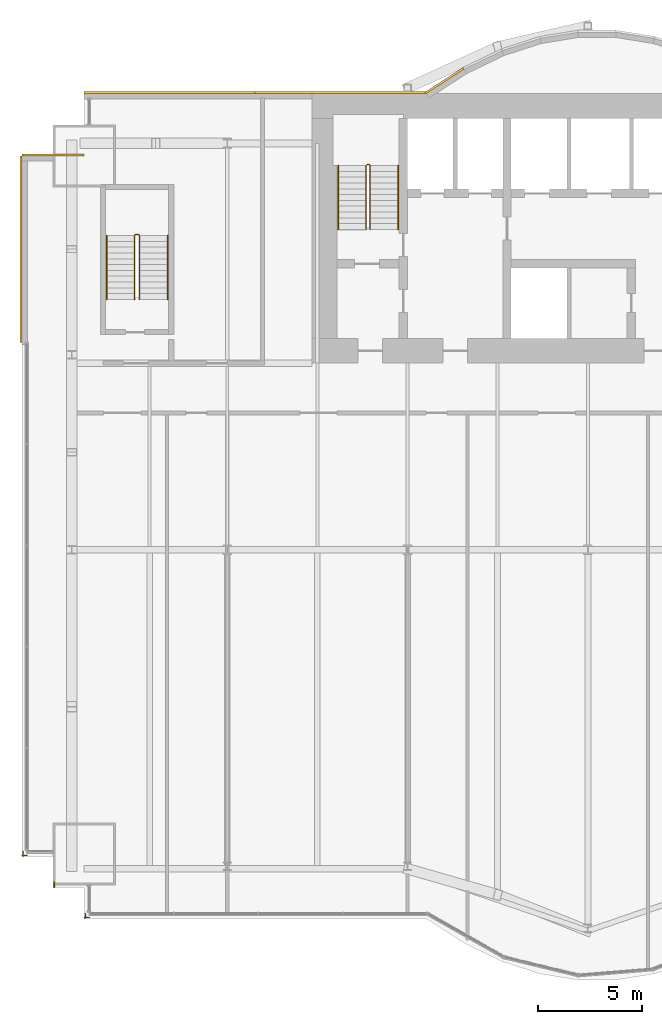
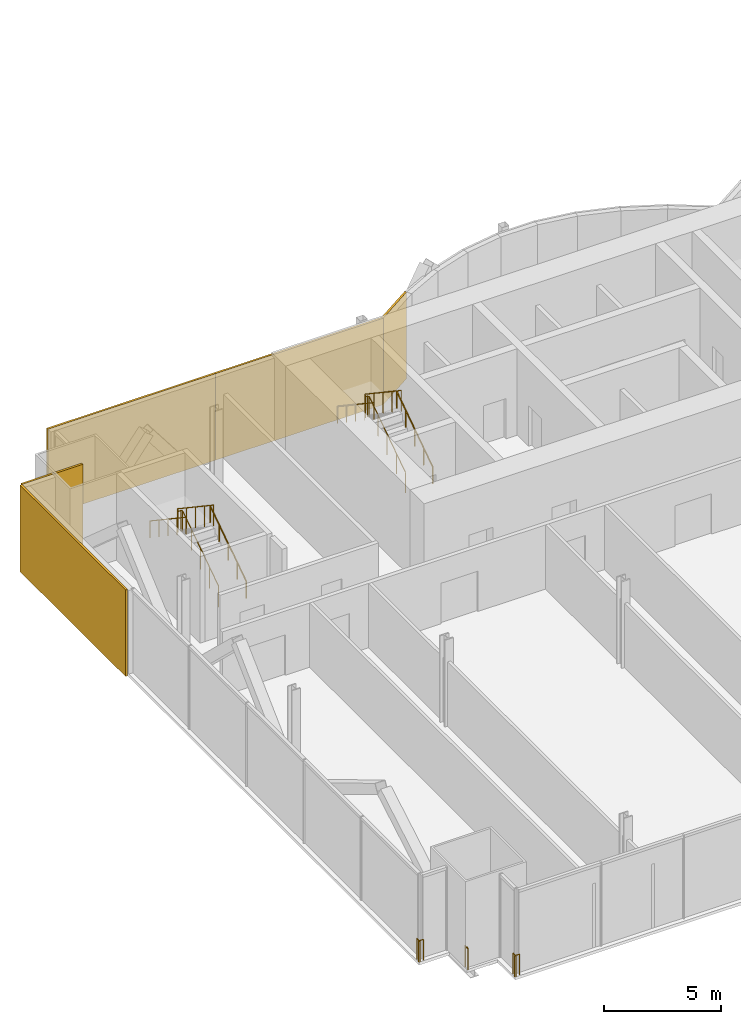
# One storey, part 19 of 21: 9 railings, 5 coverings.
"""IFC4 building model written with IfcOpenShell, lengths in metres."""

from ifc_helpers import new_model, si_unit, direction, frame, origin, origin_2d, place, context, subcontext, project, spatial, rectangle, circle, extrude, material, layer, layer_set, type_object, element, save


model = new_model("IFC4")

# Units and contexts
model_context = context("Model", 3, precision=1e-05, world=origin(), true_north=direction((0.0, 1.0)))
body_context = subcontext(model_context, "Body", "Model", "MODEL_VIEW")
ifc_project = project(units=[si_unit("LENGTHUNIT", "METRE"), si_unit("AREAUNIT", "SQUARE_METRE"), si_unit("VOLUMEUNIT", "CUBIC_METRE"), si_unit("PLANEANGLEUNIT", "RADIAN"), si_unit("MASSUNIT", "GRAM", prefix="KILO")], contexts=[model_context])

# Site, building, storey
site_placement = place(None, origin())
site = spatial("IfcSite", under=ifc_project, at=site_placement, CompositionType="ELEMENT")
building_placement = place(site_placement, origin())
building = spatial("IfcBuilding", under=site, at=building_placement, Name="Bicima Exchange Tower", CompositionType="ELEMENT")
storey_placement = place(building_placement, frame((0.0, 0.0, 75.5)))
storey = spatial("IfcBuildingStorey", under=building, at=storey_placement, Name="L15", CompositionType="ELEMENT", Elevation=75.5)

# Coverings
ifc_material_1 = material(Name="Bronze metal cladding")
ifc_layer_1 = layer(ifc_material_1, 0.004)
ifc_material_2 = material(Name="Ventilated cavity")
ifc_layer_2 = layer(ifc_material_2, 0.06)
ifc_material_3 = material(Name="Galvanised steel rail and mineral wool", Category="steel")
ifc_layer_3 = layer(ifc_material_3, 0.036)
ifc_layer_set = layer_set([ifc_layer_1, ifc_layer_2, ifc_layer_3], Name="Ventilated cavity")
covering_type = type_object("IfcCoveringType", Name="Bronze metal cladding panel 100", PredefinedType="CLADDING", material=ifc_layer_set)
covering_1_placement = place(storey_placement, frame((-15.610595703125, 0.634521484375, -0.14990234375), z_axis=(0.0, 0.0, 1.0), x_axis=(-0.839790466384, -0.542910648791, 0.0)))
element("IfcCovering", 1, at=covering_1_placement, inside=storey, type_object=covering_type, Name="Bronze cladding L15 19.1", PredefinedType="CLADDING", context=body_context, shape_type="SweptSolid", body=[
    extrude(rectangle(XDim=2.18310546875, YDim=0.10009765625, at=origin_2d()), origin(), (0.0, 0.0, 1.0), 4.5),
])
for number, where, z_axis, x_axis, name in (
    (2, (-20.625, 0.050048828125, -0.14990234375), (0.0, 0.0, 1.0), (-1.0, 0.0, 0.0), "Bronze cladding L15 20.1"),
    (3, (-28.875, 0.050048828125, -0.14990234375), (0.0, 0.0, 1.0), (-1.0, 0.0, 0.0), "Bronze cladding L15 20.2"),
):
    element("IfcCovering", number, at=place(storey_placement, frame(where, z_axis=z_axis, x_axis=x_axis)), inside=storey, type_object=covering_type, Name=name, PredefinedType="CLADDING", context=body_context, shape_type="SweptSolid", body=[
        extrude(rectangle(XDim=8.25, YDim=0.10009765625, at=origin_2d()), origin(), (0.0, 0.0, 1.0), 4.5),
    ])
covering_2_placement = place(storey_placement, frame((-34.5, -2.949951171875, -0.14990234375), z_axis=(0.0, 0.0, 1.0), x_axis=(-1.0, 0.0, 0.0)))
element("IfcCovering", 4, at=covering_2_placement, inside=storey, type_object=covering_type, Name="Bronze cladding L15 22.1", PredefinedType="CLADDING", context=body_context, shape_type="SweptSolid", body=[
    extrude(rectangle(XDim=3.0, YDim=0.10009765625, at=origin_2d()), origin(), (0.0, 0.0, 1.0), 4.5),
])
covering_3_placement = place(storey_placement, frame((-36.050048828125, -7.5, -0.14990234375), z_axis=(0.0, 0.0, 1.0), x_axis=(0.0, -1.0, 0.0)))
element("IfcCovering", 5, at=covering_3_placement, inside=storey, type_object=covering_type, Name="Bronze cladding L15 23.1", PredefinedType="CLADDING", context=body_context, shape_type="SweptSolid", body=[
    extrude(rectangle(XDim=9.0, YDim=0.10009765625, at=origin_2d()), origin(), (0.0, 0.0, 1.0), 4.5),
])

# Railings
ifc_material_4 = material(Name="Stainless steel and bonded safety glass", Category="steel")
railing_type_1 = type_object("IfcRailingType", Name="Edge guard 1100", PredefinedType="GUARDRAIL", material=ifc_material_4)
railing_1_placement = place(storey_placement, frame((-35.75, -36.75390625, 0.0)))
element("IfcRailing", 6, at=railing_1_placement, inside=storey, type_object=railing_type_1, Name="Edge guard L15 69", PredefinedType="GUARDRAIL", context=body_context, shape_type="SweptSolid", body=[
    extrude(circle(Radius=0.02392578125, at=origin_2d()), frame((0.0, 0.0, 1.076171875), z_axis=(-1.0, 0.0, 0.0), x_axis=(0.0, -1.0, 0.0)), (0.0, 0.0, 1.0), 0.25),
    extrude(circle(Radius=0.02392578125, at=origin_2d()), frame((-0.25, 0.0, 1.076171875), z_axis=(0.707106781187, -0.707106781187, 0.0), x_axis=(0.707106781187, 0.707106781187, 0.0)), (0.0, 0.0, 1.0), 0.07080078125),
    extrude(circle(Radius=0.02392578125, at=origin_2d()), frame((-0.199951171875, -0.050048828125, 1.076171875), z_axis=(0.0, 1.0, 0.0), x_axis=(-1.0, 0.0, 0.0)), (0.0, 0.0, 1.0), 0.2490234375),
    extrude(circle(Radius=0.02099609375, at=origin_2d()), origin(), (0.0, 0.0, 1.0), 1.052001953125),
    extrude(circle(Radius=0.02099609375, at=origin_2d()), frame((-0.25, 0.0, 0.0)), (0.0, 0.0, 1.0), 1.052001953125),
    extrude(circle(Radius=0.02099609375, at=origin_2d()), frame((-0.199951171875, -0.050048828125, 0.0)), (0.0, 0.0, 1.0), 1.052001953125),
    extrude(circle(Radius=0.02099609375, at=origin_2d()), frame((-0.199951171875, 0.198974609375, 0.0)), (0.0, 0.0, 1.0), 1.052001953125),
])
railing_2_placement = place(storey_placement, frame((-32.75, -39.75390625, 0.0)))
element("IfcRailing", 7, at=railing_2_placement, inside=storey, type_object=railing_type_1, Name="Edge guard L15 73", PredefinedType="GUARDRAIL", context=body_context, shape_type="SweptSolid", body=[
    extrude(circle(Radius=0.02392578125, at=origin_2d()), frame((0.0, 0.0, 1.076171875), z_axis=(-1.0, 0.0, 0.0), x_axis=(0.0, -1.0, 0.0)), (0.0, 0.0, 1.0), 0.25),
    extrude(circle(Radius=0.02392578125, at=origin_2d()), frame((-0.25, 0.0, 1.076171875), z_axis=(0.707106781187, -0.707106781187, 0.0), x_axis=(0.707106781187, 0.707106781187, 0.0)), (0.0, 0.0, 1.0), 0.07080078125),
    extrude(circle(Radius=0.02392578125, at=origin_2d()), frame((-0.199951171875, -0.050048828125, 1.076171875), z_axis=(0.0, 1.0, 0.0), x_axis=(-1.0, 0.0, 0.0)), (0.0, 0.0, 1.0), 0.25),
    extrude(circle(Radius=0.02099609375, at=origin_2d()), origin(), (0.0, 0.0, 1.0), 1.052001953125),
    extrude(circle(Radius=0.02099609375, at=origin_2d()), frame((-0.25, 0.0, 0.0)), (0.0, 0.0, 1.0), 1.052001953125),
    extrude(circle(Radius=0.02099609375, at=origin_2d()), frame((-0.199951171875, -0.050048828125, 0.0)), (0.0, 0.0, 1.0), 1.052001953125),
    extrude(circle(Radius=0.02099609375, at=origin_2d()), frame((-0.199951171875, 0.199951171875, 0.0)), (0.0, 0.0, 1.0), 1.052001953125),
])
railing_3_placement = place(storey_placement, frame((-34.449951171875, -38.303955078125, 0.0)))
element("IfcRailing", 8, at=railing_3_placement, inside=storey, type_object=railing_type_1, Name="Edge guard L15 74", PredefinedType="GUARDRAIL", context=body_context, shape_type="SweptSolid", body=[
    extrude(circle(Radius=0.02392578125, at=origin_2d()), frame((0.0, 0.0, 1.076171875), z_axis=(0.0, 1.0, 0.0), x_axis=(-1.0, 0.0, 0.0)), (0.0, 0.0, 1.0), 0.25),
    extrude(circle(Radius=0.02099609375, at=origin_2d()), origin(), (0.0, 0.0, 1.0), 1.052001953125),
    extrude(circle(Radius=0.02099609375, at=origin_2d()), frame((0.0, 0.25, 0.0)), (0.0, 0.0, 1.0), 1.052001953125),
])
ifc_material_5 = material(Name="Stainless steel", Category="steel")
railing_type_2 = type_object("IfcRailingType", Name="Stair guard 1100", PredefinedType="GUARDRAIL", material=ifc_material_5)
railing_4_placement = place(storey_placement, frame((-19.199951171875, -6.550048828125, 0.1875)))
element("IfcRailing", 9, at=railing_4_placement, inside=storey, type_object=railing_type_2, Name="L15 ST-W stair guard 1", PredefinedType="GUARDRAIL", context=body_context, shape_type="SweptSolid", body=[
    extrude(circle(Radius=0.02392578125, at=origin_2d()), frame((0.0, 0.0, 1.076171875), z_axis=(0.0, 0.830913701846, 0.55640131208), x_axis=(-1.0, 0.0, 0.0)), (0.0, 0.0, 1.0), 3.706787109375),
    extrude(circle(Radius=0.02392578125, at=origin_2d()), frame((0.0, 3.080078125, 3.138671875), z_axis=(-0.707106781187, 0.707106781187, 0.0), x_axis=(-0.707106781187, -0.707106781187, 0.0)), (0.0, 0.0, 1.0), 0.07080078125),
    extrude(circle(Radius=0.02392578125, at=origin_2d()), frame((-0.050048828125, 3.130126953125, 3.138671875), z_axis=(-1.0, 0.0, 0.0), x_axis=(0.0, -1.0, 0.0)), (0.0, 0.0, 1.0), 0.10009765625),
    extrude(circle(Radius=0.02392578125, at=origin_2d()), frame((-0.150146484375, 3.130126953125, 3.138671875), z_axis=(-0.248583702486, -0.249802250048, 0.935844527007), x_axis=(0.708833529934, -0.705375805398, 0.0)), (0.0, 0.0, 1.0), 0.200439453125),
    extrude(circle(Radius=0.02392578125, at=origin_2d()), frame((-0.199951171875, 3.080078125, 3.326171875), z_axis=(0.0, -0.830913701846, 0.55640131208), x_axis=(1.0, 0.0, 0.0)), (0.0, 0.0, 1.0), 3.706787109375),
    extrude(circle(Radius=0.02099609375, at=origin_2d()), origin(), (0.0, 0.0, 1.0), 1.052001953125),
    extrude(circle(Radius=0.02099609375, at=origin_2d()), frame((0.0, 0.77001953125, 0.515625)), (0.0, 0.0, 1.0), 1.052001953125),
    extrude(circle(Radius=0.02099609375, at=origin_2d()), frame((0.0, 1.5400390625, 1.03125)), (0.0, 0.0, 1.0), 1.052001953125),
    extrude(circle(Radius=0.02099609375, at=origin_2d()), frame((0.0, 2.31005859375, 1.546875)), (0.0, 0.0, 1.0), 1.052001953125),
    extrude(circle(Radius=0.02099609375, at=origin_2d()), frame((0.0, 3.080078125, 2.0625)), (0.0, 0.0, 1.0), 1.052001953125),
    extrude(circle(Radius=0.02099609375, at=origin_2d()), frame((-0.050048828125, 3.130126953125, 2.0625)), (0.0, 0.0, 1.0), 1.052001953125),
    extrude(circle(Radius=0.02099609375, at=origin_2d()), frame((-0.150146484375, 3.130126953125, 2.0625)), (0.0, 0.0, 1.0), 1.052001953125),
    extrude(circle(Radius=0.02099609375, at=origin_2d()), frame((-0.199951171875, 3.080078125, 2.25)), (0.0, 0.0, 1.0), 1.052001953125),
    extrude(circle(Radius=0.02099609375, at=origin_2d()), frame((-0.199951171875, 2.31005859375, 2.765625)), (0.0, 0.0, 1.0), 1.052001953125),
    extrude(circle(Radius=0.02099609375, at=origin_2d()), frame((-0.199951171875, 1.5400390625, 3.28125)), (0.0, 0.0, 1.0), 1.052001953125),
    extrude(circle(Radius=0.02099609375, at=origin_2d()), frame((-0.199951171875, 0.77001953125, 3.796875)), (0.0, 0.0, 1.0), 1.052001953125),
    extrude(circle(Radius=0.02099609375, at=origin_2d()), frame((-0.199951171875, 0.0, 4.3125)), (0.0, 0.0, 1.0), 1.052001953125),
])
railing_5_placement = place(storey_placement, frame((-30.324951171875, -9.925048828125, 0.1875)))
element("IfcRailing", 10, at=railing_5_placement, inside=storey, type_object=railing_type_2, Name="L15 ST-WW stair guard 1", PredefinedType="GUARDRAIL", context=body_context, shape_type="SweptSolid", body=[
    extrude(circle(Radius=0.02392578125, at=origin_2d()), frame((0.0, 0.0, 1.076171875), z_axis=(0.0, 0.830913701846, 0.55640131208), x_axis=(-1.0, 0.0, 0.0)), (0.0, 0.0, 1.0), 3.706787109375),
    extrude(circle(Radius=0.02392578125, at=origin_2d()), frame((0.0, 3.080078125, 3.138671875), z_axis=(-0.707106781187, 0.707106781187, 0.0), x_axis=(-0.707106781187, -0.707106781187, 0.0)), (0.0, 0.0, 1.0), 0.07080078125),
    extrude(circle(Radius=0.02392578125, at=origin_2d()), frame((-0.050048828125, 3.130126953125, 3.138671875), z_axis=(-1.0, 0.0, 0.0), x_axis=(0.0, -1.0, 0.0)), (0.0, 0.0, 1.0), 0.14990234375),
    extrude(circle(Radius=0.02392578125, at=origin_2d()), frame((-0.199951171875, 3.130126953125, 3.138671875), z_axis=(-0.249726431254, -0.249726431254, 0.935560483917), x_axis=(0.707106781187, -0.707106781187, 0.0)), (0.0, 0.0, 1.0), 0.200439453125),
    extrude(circle(Radius=0.02392578125, at=origin_2d()), frame((-0.25, 3.080078125, 3.326171875), z_axis=(0.0, -0.830913701846, 0.55640131208), x_axis=(1.0, 0.0, 0.0)), (0.0, 0.0, 1.0), 3.706787109375),
    extrude(circle(Radius=0.02099609375, at=origin_2d()), origin(), (0.0, 0.0, 1.0), 1.052001953125),
    extrude(circle(Radius=0.02099609375, at=origin_2d()), frame((0.0, 0.77001953125, 0.515625)), (0.0, 0.0, 1.0), 1.052001953125),
    extrude(circle(Radius=0.02099609375, at=origin_2d()), frame((0.0, 1.5400390625, 1.03125)), (0.0, 0.0, 1.0), 1.052001953125),
    extrude(circle(Radius=0.02099609375, at=origin_2d()), frame((0.0, 2.31005859375, 1.546875)), (0.0, 0.0, 1.0), 1.052001953125),
    extrude(circle(Radius=0.02099609375, at=origin_2d()), frame((0.0, 3.080078125, 2.0625)), (0.0, 0.0, 1.0), 1.052001953125),
    extrude(circle(Radius=0.02099609375, at=origin_2d()), frame((-0.050048828125, 3.130126953125, 2.0625)), (0.0, 0.0, 1.0), 1.052001953125),
    extrude(circle(Radius=0.02099609375, at=origin_2d()), frame((-0.199951171875, 3.130126953125, 2.0625)), (0.0, 0.0, 1.0), 1.052001953125),
    extrude(circle(Radius=0.02099609375, at=origin_2d()), frame((-0.25, 3.080078125, 2.25)), (0.0, 0.0, 1.0), 1.052001953125),
    extrude(circle(Radius=0.02099609375, at=origin_2d()), frame((-0.25, 2.31005859375, 2.765625)), (0.0, 0.0, 1.0), 1.052001953125),
    extrude(circle(Radius=0.02099609375, at=origin_2d()), frame((-0.25, 1.5400390625, 3.28125)), (0.0, 0.0, 1.0), 1.052001953125),
    extrude(circle(Radius=0.02099609375, at=origin_2d()), frame((-0.25, 0.77001953125, 3.796875)), (0.0, 0.0, 1.0), 1.052001953125),
    extrude(circle(Radius=0.02099609375, at=origin_2d()), frame((-0.25, 0.0, 4.3125)), (0.0, 0.0, 1.0), 1.052001953125),
])
railing_type_3 = type_object("IfcRailingType", Name="Stair handrail 900", PredefinedType="HANDRAIL", material=ifc_material_5)
railing_6_placement = place(storey_placement, frame((-17.85009765625, -6.550048828125, 0.1875)))
element("IfcRailing", 11, at=railing_6_placement, inside=storey, type_object=railing_type_3, Name="L15 ST-W stair handrail 1", PredefinedType="HANDRAIL", context=body_context, shape_type="SweptSolid", body=[
    extrude(circle(Radius=0.02392578125, at=origin_2d()), frame((0.0, 0.0, 0.8759765625), z_axis=(0.0, 0.830913701846, 0.55640131208), x_axis=(-1.0, 0.0, 0.0)), (0.0, 0.0, 1.0), 3.706787109375),
    extrude(circle(Radius=0.02099609375, at=origin_2d()), origin(), (0.0, 0.0, 1.0), 0.851806640625),
    extrude(circle(Radius=0.02099609375, at=origin_2d()), frame((0.0, 0.77001953125, 0.515625)), (0.0, 0.0, 1.0), 0.851806640625),
    extrude(circle(Radius=0.02099609375, at=origin_2d()), frame((0.0, 1.5400390625, 1.03125)), (0.0, 0.0, 1.0), 0.851806640625),
    extrude(circle(Radius=0.02099609375, at=origin_2d()), frame((0.0, 2.31005859375, 1.546875)), (0.0, 0.0, 1.0), 0.851806640625),
    extrude(circle(Radius=0.02099609375, at=origin_2d()), frame((0.0, 3.080078125, 2.0625)), (0.0, 0.0, 1.0), 0.851806640625),
])
railing_7_placement = place(storey_placement, frame((-20.75, -3.469970703125, 2.47900390625)))
element("IfcRailing", 12, at=railing_7_placement, inside=storey, type_object=railing_type_3, Name="L15 ST-W stair handrail 2", PredefinedType="HANDRAIL", context=body_context, shape_type="SweptSolid", body=[
    extrude(circle(Radius=0.02392578125, at=origin_2d()), frame((0.0, 0.0, 0.8759765625), z_axis=(0.0, -0.830913701846, 0.55640131208), x_axis=(1.0, 0.0, 0.0)), (0.0, 0.0, 1.0), 3.706787109375),
    extrude(circle(Radius=0.02099609375, at=origin_2d()), origin(), (0.0, 0.0, 1.0), 0.851806640625),
    extrude(circle(Radius=0.02099609375, at=origin_2d()), frame((0.0, -0.77001953125, 0.515625)), (0.0, 0.0, 1.0), 0.851806640625),
    extrude(circle(Radius=0.02099609375, at=origin_2d()), frame((0.0, -1.5400390625, 1.03125)), (0.0, 0.0, 1.0), 0.851806640625),
    extrude(circle(Radius=0.02099609375, at=origin_2d()), frame((0.0, -2.31005859375, 1.546875)), (0.0, 0.0, 1.0), 0.851806640625),
    extrude(circle(Radius=0.02099609375, at=origin_2d()), frame((0.0, -3.080078125, 2.0625)), (0.0, 0.0, 1.0), 0.851806640625),
])
railing_8_placement = place(storey_placement, frame((-28.97509765625, -9.925048828125, 0.1875)))
element("IfcRailing", 13, at=railing_8_placement, inside=storey, type_object=railing_type_3, Name="L15 ST-WW stair handrail 1", PredefinedType="HANDRAIL", context=body_context, shape_type="SweptSolid", body=[
    extrude(circle(Radius=0.02392578125, at=origin_2d()), frame((0.0, 0.0, 0.8759765625), z_axis=(0.0, 0.830913701846, 0.55640131208), x_axis=(-1.0, 0.0, 0.0)), (0.0, 0.0, 1.0), 3.706787109375),
    extrude(circle(Radius=0.02099609375, at=origin_2d()), origin(), (0.0, 0.0, 1.0), 0.851806640625),
    extrude(circle(Radius=0.02099609375, at=origin_2d()), frame((0.0, 0.77001953125, 0.515625)), (0.0, 0.0, 1.0), 0.851806640625),
    extrude(circle(Radius=0.02099609375, at=origin_2d()), frame((0.0, 1.5400390625, 1.03125)), (0.0, 0.0, 1.0), 0.851806640625),
    extrude(circle(Radius=0.02099609375, at=origin_2d()), frame((0.0, 2.31005859375, 1.546875)), (0.0, 0.0, 1.0), 0.851806640625),
    extrude(circle(Radius=0.02099609375, at=origin_2d()), frame((0.0, 3.080078125, 2.0625)), (0.0, 0.0, 1.0), 0.851806640625),
])
railing_9_placement = place(storey_placement, frame((-31.925048828125, -6.844970703125, 2.47900390625)))
element("IfcRailing", 14, at=railing_9_placement, inside=storey, type_object=railing_type_3, Name="L15 ST-WW stair handrail 2", PredefinedType="HANDRAIL", context=body_context, shape_type="SweptSolid", body=[
    extrude(circle(Radius=0.02392578125, at=origin_2d()), frame((0.0, 0.0, 0.8759765625), z_axis=(0.0, -0.830913701846, 0.55640131208), x_axis=(1.0, 0.0, 0.0)), (0.0, 0.0, 1.0), 3.706787109375),
    extrude(circle(Radius=0.02099609375, at=origin_2d()), origin(), (0.0, 0.0, 1.0), 0.851806640625),
    extrude(circle(Radius=0.02099609375, at=origin_2d()), frame((0.0, -0.77001953125, 0.515625)), (0.0, 0.0, 1.0), 0.851806640625),
    extrude(circle(Radius=0.02099609375, at=origin_2d()), frame((0.0, -1.5400390625, 1.03125)), (0.0, 0.0, 1.0), 0.851806640625),
    extrude(circle(Radius=0.02099609375, at=origin_2d()), frame((0.0, -2.31005859375, 1.546875)), (0.0, 0.0, 1.0), 0.851806640625),
    extrude(circle(Radius=0.02099609375, at=origin_2d()), frame((0.0, -3.080078125, 2.0625)), (0.0, 0.0, 1.0), 0.851806640625),
])

save(model, "model.ifc")
